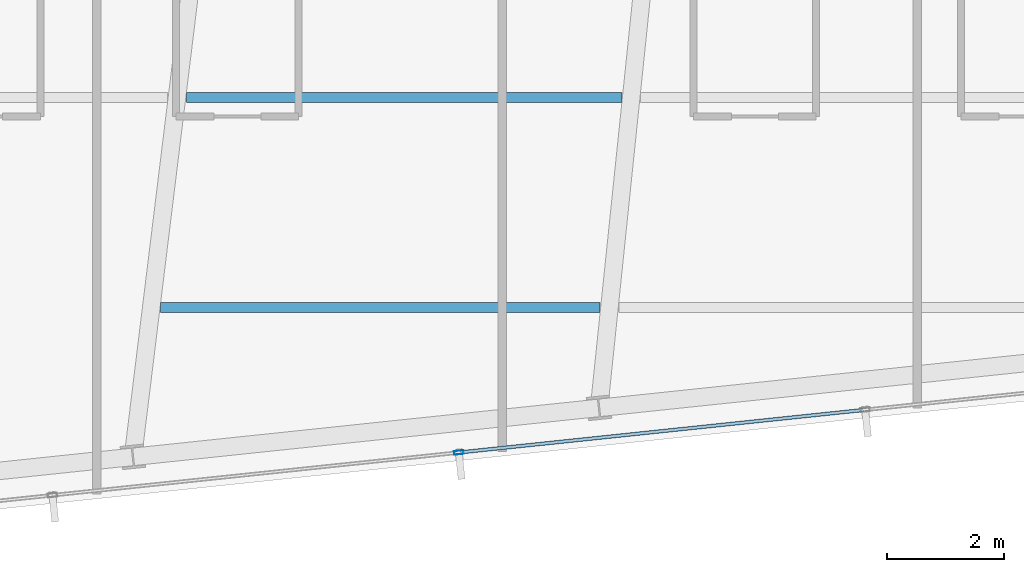
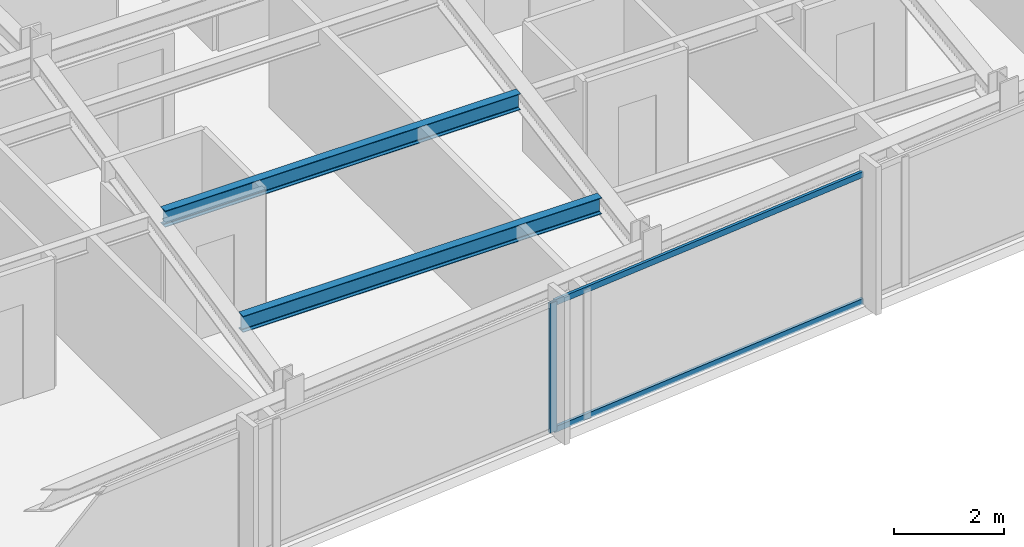
# One storey, part 7 of 33: 3 members, 2 beams, 1 element without a shape of its own.
"""IFC4 building model written with IfcOpenShell, lengths in metres."""

import ifcopenshell
import ifcopenshell.guid

model = None  # the IFC model being written
_history = None  # IfcOwnerHistory: only IFC2X3 demands one
_inside = {}  # id of a spatial element -> (the spatial element, [elements in it])
_under = {}  # id of a project, library or spatial element -> (it, [spatial elements below it])
_declared = {}  # id of a project -> (the project, [libraries it declares])
_typed = {}  # id of a type object -> (the type object, [elements of that type])
_made_of = {}  # id of a material, layer set ... -> (it, [elements and type objects made of it])


def new_model(schema):
    """Start an empty IFC model of exactly this schema.

    Asked for "IFC4X3", IfcOpenShell would pick the latest addendum, in which some entities
    have other attributes; the version numbers below select the first issue.
    IFC2X3 requires an IfcOwnerHistory on every rooted entity: one is made here for all.
    """
    global model, _history
    if schema == "IFC4X3":
        model = ifcopenshell.file(schema_version=(4, 3, 0, 0))
    else:
        model = ifcopenshell.file(schema=schema)
    _inside.clear()
    _under.clear()
    _declared.clear()
    _typed.clear()
    _made_of.clear()
    _history = None
    if model.schema == "IFC2X3":
        org = make("IfcOrganization", Name="unknown")
        user = make(
            "IfcPersonAndOrganization",
            ThePerson=make("IfcPerson", FamilyName="unknown"),
            TheOrganization=org,
        )
        app = make(
            "IfcApplication",
            ApplicationDeveloper=org,
            Version="unknown",
            ApplicationFullName="unknown",
            ApplicationIdentifier="unknown",
        )
        _history = make(
            "IfcOwnerHistory",
            OwningUser=user,
            OwningApplication=app,
            ChangeAction="ADDED",
            CreationDate=0,
        )
    return model


def make(cls, **values):
    """One entity of the class cls with the attributes given. An attribute that is None is left unset."""
    return model.create_entity(
        cls, **{name: value for name, value in values.items() if value is not None}
    )


def rooted(cls, **values):
    """An entity with a GlobalId (a new one), such as an element, a storey or a relation."""
    return make(cls, GlobalId=ifcopenshell.guid.new(), OwnerHistory=_history, **values)


def si_unit(unit_type, name, prefix=None):
    """IfcSIUnit, for example si_unit("LENGTHUNIT", "METRE", prefix="MILLI")."""
    return make("IfcSIUnit", UnitType=unit_type, Prefix=prefix, Name=name)


def assignment(units):
    """IfcUnitAssignment: the units of a project."""
    return None if units is None else make("IfcUnitAssignment", Units=units)


def point(xyz):
    """IfcCartesianPoint."""
    return None if xyz is None else make("IfcCartesianPoint", Coordinates=xyz)


def direction(xyz):
    """IfcDirection."""
    return None if xyz is None else make("IfcDirection", DirectionRatios=xyz)


def frame(location, z_axis=None, x_axis=None):
    """IfcAxis2Placement3D, a coordinate frame: its origin and axes. An axis left out is left unset."""
    return make(
        "IfcAxis2Placement3D",
        Location=point(location),
        Axis=direction(z_axis),
        RefDirection=direction(x_axis),
    )


def frame_2d(location, x_axis=None):
    """IfcAxis2Placement2D, a coordinate frame in the plane: its origin and x axis."""
    return make(
        "IfcAxis2Placement2D", Location=point(location), RefDirection=direction(x_axis)
    )


def origin():
    """The frame at (0, 0, 0) with its axes left unset."""
    return frame((0.0, 0.0, 0.0))


def origin_2d():
    """The frame at (0, 0) in the plane with its x axis left unset."""
    return frame_2d((0.0, 0.0))


def place(relative_to, where):
    """IfcLocalPlacement: puts the frame where relative to a parent placement (None: the world)."""
    return make(
        "IfcLocalPlacement", PlacementRelTo=relative_to, RelativePlacement=where
    )


def context(
    kind, dimensions, precision=None, world=None, true_north=None, identifier=None
):
    """IfcGeometricRepresentationContext, for example the 3D "Model" context."""
    return make(
        "IfcGeometricRepresentationContext",
        ContextIdentifier=identifier,
        ContextType=kind,
        CoordinateSpaceDimension=dimensions,
        Precision=precision,
        WorldCoordinateSystem=world,
        TrueNorth=true_north,
    )


def subcontext(parent, identifier, kind, view, scale=None):
    """IfcGeometricRepresentationSubContext, for example "Body" below "Model"."""
    return make(
        "IfcGeometricRepresentationSubContext",
        ContextIdentifier=identifier,
        ContextType=kind,
        ParentContext=parent,
        TargetScale=scale,
        TargetView=view,
    )


def project(units=None, contexts=None):
    """IfcProject with its units and contexts."""
    return rooted(
        "IfcProject",
        Name="project",
        RepresentationContexts=contexts,
        UnitsInContext=assignment(units),
    )


def spatial(cls, under=None, at=None, **own):
    """A site, building, storey or space (cls), placed at a placement, below another one or the project."""
    s = rooted(cls, ObjectPlacement=at, **own)
    if under is not None:
        _under.setdefault(under.id(), (under, []))[1].append(s)
    return s


def profile(cls, at=None, kind="AREA", **sizes):
    """A parametric profile (cls). Its sizes go by their IFC names, for example OverallWidth=200.0."""
    return make(cls, ProfileType=kind, Position=at, **sizes)


def hollow_rectangle(**sizes):
    """IfcRectangleHollowProfileDef."""
    return profile("IfcRectangleHollowProfileDef", **sizes)


def i_section(**sizes):
    """IfcIShapeProfileDef."""
    return profile("IfcIShapeProfileDef", **sizes)


def extrude(swept, where, along, depth):
    """IfcExtrudedAreaSolid: the profile swept, set in the frame where, extruded along a direction by depth."""
    return make(
        "IfcExtrudedAreaSolid",
        SweptArea=swept,
        Position=where,
        ExtrudedDirection=direction(along),
        Depth=depth,
    )


def shape(context_of_items, identifier, shape_type, items):
    """IfcShapeRepresentation: the items that make up one representation, for example the "Body"."""
    return make(
        "IfcShapeRepresentation",
        ContextOfItems=context_of_items,
        RepresentationIdentifier=identifier,
        RepresentationType=shape_type,
        Items=items,
    )


def material(Name=None, Category=None):
    """IfcMaterial."""
    return make("IfcMaterial", Name=Name, Category=Category)


def material_profile(
    of_material, cross_section, Name=None, Category=None, Priority=None
):
    """IfcMaterialProfile: a cross section and its material."""
    return make(
        "IfcMaterialProfile",
        Name=Name,
        Material=of_material,
        Profile=cross_section,
        Priority=Priority,
        Category=Category,
    )


def profile_set(profiles, Name=None, composite=None):
    """IfcMaterialProfileSet."""
    return make(
        "IfcMaterialProfileSet",
        Name=Name,
        MaterialProfiles=profiles,
        CompositeProfile=composite,
    )


def made_of(thing, what):
    """Note that an element or type object is made of a material, layer set ...; save() writes the relation."""
    if what is not None:
        _made_of.setdefault(what.id(), (what, []))[1].append(thing)
    return thing


def type_object(cls, material=None, **own):
    """A type object (cls), such as IfcWallType, which elements share."""
    return made_of(rooted(cls, **own), material)


def element(
    cls,
    number,
    at=None,
    inside=None,
    cuts=None,
    type_object=None,
    material=None,
    context=None,
    identifier="Body",
    shape_type=None,
    held_by="IfcProductDefinitionShape",
    body=None,
    shapes=None,
    **own,
):
    """One element of the class cls, such as IfcWall. Its Tag is "e" and its number.

    at: its placement. inside: the storey or other place that contains it. cuts: it is an
    opening in that element (IfcRelVoidsElement). A single representation is given by context,
    identifier, shape_type and body (its items); several are given by shapes. held_by: the class
    of the entity that holds the representations. save() writes the other relations.
    """
    e = rooted(cls, Tag="e%d" % number, ObjectPlacement=at, **own)
    if body is not None:
        shapes = [shape(context, identifier, shape_type, body)]
    if shapes is not None:
        e.Representation = make(held_by, Representations=shapes)
    if inside is not None:
        _inside.setdefault(inside.id(), (inside, []))[1].append(e)
    if cuts is not None:
        rooted(
            "IfcRelVoidsElement", RelatingBuildingElement=cuts, RelatedOpeningElement=e
        )
    if type_object is not None:
        _typed.setdefault(type_object.id(), (type_object, []))[1].append(e)
    return made_of(e, material)


def aggregate(whole, parts):
    """IfcRelAggregates: a whole, such as a stair, and the parts it consists of."""
    return rooted("IfcRelAggregates", RelatingObject=whole, RelatedObjects=parts)


def save(model, path):
    """Write the relations noted so far, then the file.

    IfcRelAggregates (storeys below a building ...), IfcRelContainedInSpatialStructure (elements
    in a storey), IfcRelDefinesByType, IfcRelAssociatesMaterial and IfcRelDeclares: one each for
    every whole, place, type object, material and project.
    """
    for whole, parts in _under.values():
        aggregate(whole, parts)
    for where, things in _inside.values():
        rooted(
            "IfcRelContainedInSpatialStructure",
            RelatedElements=things,
            RelatingStructure=where,
        )
    for kind, things in _typed.values():
        rooted("IfcRelDefinesByType", RelatedObjects=things, RelatingType=kind)
    for what, things in _made_of.values():
        rooted("IfcRelAssociatesMaterial", RelatedObjects=things, RelatingMaterial=what)
    for by, libraries in _declared.values():
        rooted("IfcRelDeclares", RelatingContext=by, RelatedDefinitions=libraries)
    model.write(path)


model = new_model("IFC4")

# Units and contexts
model_context = context("Model", 3, precision=1e-05, world=origin(), true_north=direction((0.0, 1.0)))
body_context = subcontext(model_context, "Body", "Model", "MODEL_VIEW")
ifc_project = project(units=[si_unit("LENGTHUNIT", "METRE"), si_unit("AREAUNIT", "SQUARE_METRE"), si_unit("VOLUMEUNIT", "CUBIC_METRE"), si_unit("PLANEANGLEUNIT", "RADIAN"), si_unit("MASSUNIT", "GRAM", prefix="KILO")], contexts=[model_context])

# Site, building, storey
site_placement = place(None, origin())
site = spatial("IfcSite", under=ifc_project, at=site_placement, CompositionType="ELEMENT")
building_placement = place(site_placement, origin())
building = spatial("IfcBuilding", under=site, at=building_placement, Name="Yelkora Congress Tower", CompositionType="ELEMENT")
storey_placement = place(building_placement, frame((0.0, 0.0, 244.10009765625)))
storey = spatial("IfcBuildingStorey", under=building, at=storey_placement, Name="L68", CompositionType="ELEMENT", Elevation=244.10009765625)

# Beams
ifc_material_1 = material(Name="Steel S355J2", Category="steel")
ifc_material_profile_1 = material_profile(ifc_material_1, i_section(OverallWidth=0.169921875, OverallDepth=0.360107421875, WebThickness=0.008056640625, FlangeThickness=0.0126953125, FilletRadius=0.01806640625, at=origin_2d()), Name="IPE 360")
ifc_profile_set_1 = profile_set([ifc_material_profile_1], Name="Steel S355J2")
beam_type = type_object("IfcBeamType", Name="BM-JOIST-IPE360", PredefinedType="JOIST", material=ifc_profile_set_1)
beam_1_placement = place(storey_placement, frame((29.76220703125, 16.07861328125, 2.699951171875), z_axis=(1.0, 0.0, 0.0), x_axis=(0.0, 1.0, 0.0)))
element("IfcBeam", 1, at=beam_1_placement, inside=storey, type_object=beam_type, Name="L68 Composite Floor Joist 1", PredefinedType="JOIST", context=body_context, shape_type="SweptSolid", body=[
    extrude(i_section(OverallWidth=0.169921875, OverallDepth=0.360107421875, WebThickness=0.008056640625, FlangeThickness=0.0126953125, FilletRadius=0.01806640625, at=origin_2d()), origin(), (0.0, 0.0, 1.0), 7.53369140625),
])
beam_2_placement = place(storey_placement, frame((30.203369140625, 19.678466796875, 2.699951171875), z_axis=(1.0, 0.0, 0.0), x_axis=(0.0, 1.0, 0.0)))
element("IfcBeam", 2, at=beam_2_placement, inside=storey, type_object=beam_type, Name="L68 Composite Floor Joist 4", PredefinedType="JOIST", context=body_context, shape_type="SweptSolid", body=[
    extrude(i_section(OverallWidth=0.169921875, OverallDepth=0.360107421875, WebThickness=0.008056640625, FlangeThickness=0.0126953125, FilletRadius=0.01806640625, at=origin_2d()), origin(), (0.0, 0.0, 1.0), 7.465087890625),
])

# Curtain wall, members
ifc_material_2 = material(Name="Anodised aluminium and insulated glass", Category="aluminium")
curtain_wall_type = type_object("IfcCurtainWallType", Name="CW-SYS-B4", PredefinedType="NOTDEFINED", material=ifc_material_2)
curtain_wall_placement = place(storey_placement, origin())
curtain_wall = element("IfcCurtainWall", 3, at=curtain_wall_placement, inside=storey, type_object=curtain_wall_type, Name="L68 Unitised Curtain Wall 20", PredefinedType="NOTDEFINED")
ifc_material_3 = material(Name="Anodised aluminium 6063-T6", Category="aluminium")
ifc_material_profile_2 = material_profile(ifc_material_3, hollow_rectangle(XDim=0.06494140625, YDim=0.159912109375, WallThickness=0.00390625, at=origin_2d()), Name="ALU 65x160x4")
ifc_profile_set_2 = profile_set([ifc_material_profile_2], Name="Anodised aluminium 6063-T6")
member_type_1 = type_object("IfcMemberType", Name="MEM-ML-B4", PredefinedType="MULLION", material=ifc_profile_set_2)
member_1_placement = place(storey_placement, frame((34.87353515625, 13.592529296875, 0.0), z_axis=(0.0, 0.0, 1.0), x_axis=(0.104526664994, -0.994522084373, 0.0)))
member_1 = element("IfcMember", 4, at=member_1_placement, type_object=member_type_1, Name="CW-B4 mullion 6", PredefinedType="MULLION", context=body_context, shape_type="SweptSolid", body=[
    extrude(hollow_rectangle(XDim=0.06494140625, YDim=0.159912109375, WallThickness=0.00390625, at=origin_2d()), origin(), (0.0, 0.0, 1.0), 2.8798828125),
])
ifc_material_profile_3 = material_profile(ifc_material_3, hollow_rectangle(XDim=0.06005859375, YDim=0.1298828125, WallThickness=0.00390625, at=origin_2d()), Name="ALU 60x130x4")
ifc_profile_set_3 = profile_set([ifc_material_profile_3], Name="Anodised aluminium 6063-T6")
member_type_2 = type_object("IfcMemberType", Name="MEM-TR-B4", PredefinedType="USERDEFINED", material=ifc_profile_set_3)
member_2_placement = place(storey_placement, frame((41.8056640625, 14.321044921875, 0.02978515625), z_axis=(-0.99452317859, -0.104516253509, 0.0), x_axis=(0.104516253509, -0.99452317859, 0.0)))
member_2 = element("IfcMember", 5, at=member_2_placement, type_object=member_type_2, Name="CW-B4 transom 5.1", ObjectType="TRANSOM", PredefinedType="USERDEFINED", context=body_context, shape_type="SweptSolid", body=[
    extrude(hollow_rectangle(XDim=0.06005859375, YDim=0.1298828125, WallThickness=0.00390625, at=origin_2d()), origin(), (0.0, 0.0, 1.0), 6.937744140625),
])
member_3_placement = place(storey_placement, frame((41.8056640625, 14.321044921875, 2.849853515625), z_axis=(-0.99452317859, -0.104516253509, 0.0), x_axis=(0.104516253509, -0.99452317859, 0.0)))
member_3 = element("IfcMember", 6, at=member_3_placement, type_object=member_type_2, Name="CW-B4 transom 5.2", ObjectType="TRANSOM", PredefinedType="USERDEFINED", context=body_context, shape_type="SweptSolid", body=[
    extrude(hollow_rectangle(XDim=0.06005859375, YDim=0.1298828125, WallThickness=0.00390625, at=origin_2d()), origin(), (0.0, 0.0, 1.0), 6.937744140625),
])
aggregate(curtain_wall, [member_1, member_2, member_3])

save(model, "model.ifc")
